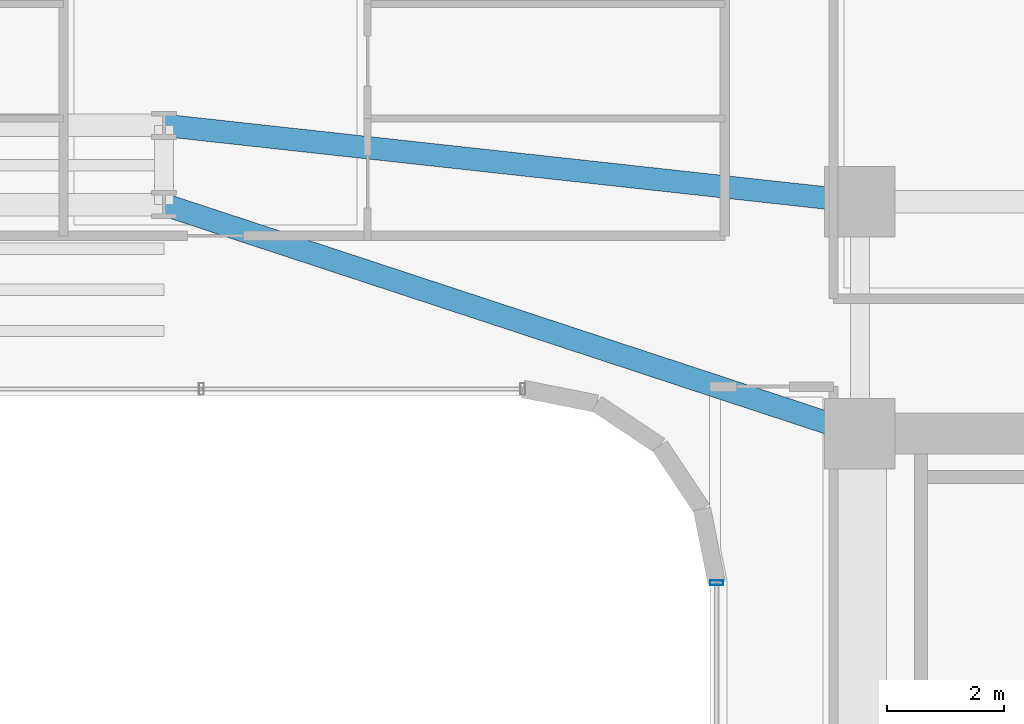
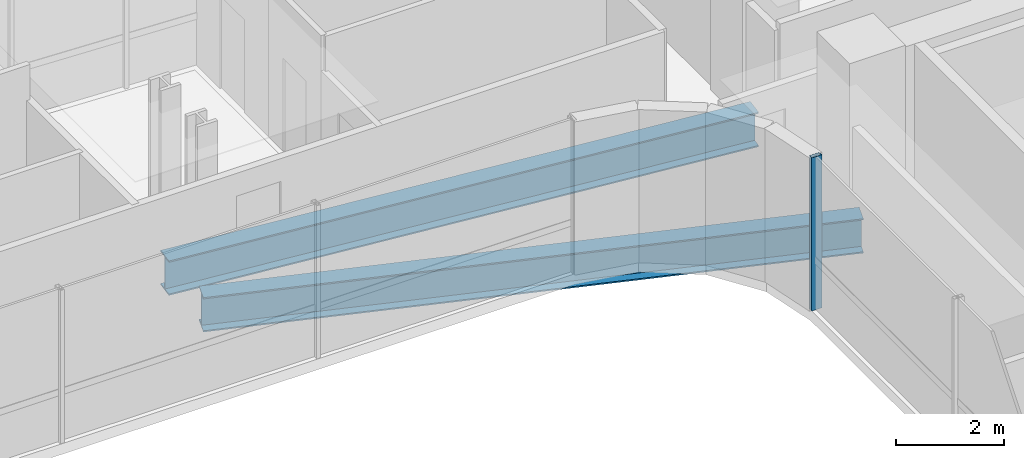
# One storey, part 17 of 37: 2 beams, 1 member, 1 element without a shape of its own.
"""IFC4 building model written with IfcOpenShell, lengths in metres."""

import ifcopenshell
import ifcopenshell.guid

model = None  # the IFC model being written
_history = None  # IfcOwnerHistory: only IFC2X3 demands one
_inside = {}  # id of a spatial element -> (the spatial element, [elements in it])
_under = {}  # id of a project, library or spatial element -> (it, [spatial elements below it])
_declared = {}  # id of a project -> (the project, [libraries it declares])
_typed = {}  # id of a type object -> (the type object, [elements of that type])
_made_of = {}  # id of a material, layer set ... -> (it, [elements and type objects made of it])


def new_model(schema):
    """Start an empty IFC model of exactly this schema.

    Asked for "IFC4X3", IfcOpenShell would pick the latest addendum, in which some entities
    have other attributes; the version numbers below select the first issue.
    IFC2X3 requires an IfcOwnerHistory on every rooted entity: one is made here for all.
    """
    global model, _history
    if schema == "IFC4X3":
        model = ifcopenshell.file(schema_version=(4, 3, 0, 0))
    else:
        model = ifcopenshell.file(schema=schema)
    _inside.clear()
    _under.clear()
    _declared.clear()
    _typed.clear()
    _made_of.clear()
    _history = None
    if model.schema == "IFC2X3":
        org = make("IfcOrganization", Name="unknown")
        user = make(
            "IfcPersonAndOrganization",
            ThePerson=make("IfcPerson", FamilyName="unknown"),
            TheOrganization=org,
        )
        app = make(
            "IfcApplication",
            ApplicationDeveloper=org,
            Version="unknown",
            ApplicationFullName="unknown",
            ApplicationIdentifier="unknown",
        )
        _history = make(
            "IfcOwnerHistory",
            OwningUser=user,
            OwningApplication=app,
            ChangeAction="ADDED",
            CreationDate=0,
        )
    return model


def make(cls, **values):
    """One entity of the class cls with the attributes given. An attribute that is None is left unset."""
    return model.create_entity(
        cls, **{name: value for name, value in values.items() if value is not None}
    )


def rooted(cls, **values):
    """An entity with a GlobalId (a new one), such as an element, a storey or a relation."""
    return make(cls, GlobalId=ifcopenshell.guid.new(), OwnerHistory=_history, **values)


def si_unit(unit_type, name, prefix=None):
    """IfcSIUnit, for example si_unit("LENGTHUNIT", "METRE", prefix="MILLI")."""
    return make("IfcSIUnit", UnitType=unit_type, Prefix=prefix, Name=name)


def assignment(units):
    """IfcUnitAssignment: the units of a project."""
    return None if units is None else make("IfcUnitAssignment", Units=units)


def point(xyz):
    """IfcCartesianPoint."""
    return None if xyz is None else make("IfcCartesianPoint", Coordinates=xyz)


def direction(xyz):
    """IfcDirection."""
    return None if xyz is None else make("IfcDirection", DirectionRatios=xyz)


def frame(location, z_axis=None, x_axis=None):
    """IfcAxis2Placement3D, a coordinate frame: its origin and axes. An axis left out is left unset."""
    return make(
        "IfcAxis2Placement3D",
        Location=point(location),
        Axis=direction(z_axis),
        RefDirection=direction(x_axis),
    )


def frame_2d(location, x_axis=None):
    """IfcAxis2Placement2D, a coordinate frame in the plane: its origin and x axis."""
    return make(
        "IfcAxis2Placement2D", Location=point(location), RefDirection=direction(x_axis)
    )


def origin():
    """The frame at (0, 0, 0) with its axes left unset."""
    return frame((0.0, 0.0, 0.0))


def origin_2d():
    """The frame at (0, 0) in the plane with its x axis left unset."""
    return frame_2d((0.0, 0.0))


def place(relative_to, where):
    """IfcLocalPlacement: puts the frame where relative to a parent placement (None: the world)."""
    return make(
        "IfcLocalPlacement", PlacementRelTo=relative_to, RelativePlacement=where
    )


def context(
    kind, dimensions, precision=None, world=None, true_north=None, identifier=None
):
    """IfcGeometricRepresentationContext, for example the 3D "Model" context."""
    return make(
        "IfcGeometricRepresentationContext",
        ContextIdentifier=identifier,
        ContextType=kind,
        CoordinateSpaceDimension=dimensions,
        Precision=precision,
        WorldCoordinateSystem=world,
        TrueNorth=true_north,
    )


def subcontext(parent, identifier, kind, view, scale=None):
    """IfcGeometricRepresentationSubContext, for example "Body" below "Model"."""
    return make(
        "IfcGeometricRepresentationSubContext",
        ContextIdentifier=identifier,
        ContextType=kind,
        ParentContext=parent,
        TargetScale=scale,
        TargetView=view,
    )


def project(units=None, contexts=None):
    """IfcProject with its units and contexts."""
    return rooted(
        "IfcProject",
        Name="project",
        RepresentationContexts=contexts,
        UnitsInContext=assignment(units),
    )


def spatial(cls, under=None, at=None, **own):
    """A site, building, storey or space (cls), placed at a placement, below another one or the project."""
    s = rooted(cls, ObjectPlacement=at, **own)
    if under is not None:
        _under.setdefault(under.id(), (under, []))[1].append(s)
    return s


def profile(cls, at=None, kind="AREA", **sizes):
    """A parametric profile (cls). Its sizes go by their IFC names, for example OverallWidth=200.0."""
    return make(cls, ProfileType=kind, Position=at, **sizes)


def hollow_rectangle(**sizes):
    """IfcRectangleHollowProfileDef."""
    return profile("IfcRectangleHollowProfileDef", **sizes)


def i_section(**sizes):
    """IfcIShapeProfileDef."""
    return profile("IfcIShapeProfileDef", **sizes)


def extrude(swept, where, along, depth):
    """IfcExtrudedAreaSolid: the profile swept, set in the frame where, extruded along a direction by depth."""
    return make(
        "IfcExtrudedAreaSolid",
        SweptArea=swept,
        Position=where,
        ExtrudedDirection=direction(along),
        Depth=depth,
    )


def shape(context_of_items, identifier, shape_type, items):
    """IfcShapeRepresentation: the items that make up one representation, for example the "Body"."""
    return make(
        "IfcShapeRepresentation",
        ContextOfItems=context_of_items,
        RepresentationIdentifier=identifier,
        RepresentationType=shape_type,
        Items=items,
    )


def source(mapping_origin, context_of_items, identifier, shape_type, items):
    """IfcRepresentationMap: a shape defined once, which mapped items show again and again."""
    return make(
        "IfcRepresentationMap",
        MappingOrigin=mapping_origin,
        MappedRepresentation=shape(context_of_items, identifier, shape_type, items),
    )


def transform(
    local_origin,
    x_axis=None,
    y_axis=None,
    z_axis=None,
    scale=None,
    scale2=None,
    scale3=None,
    uniform=True,
):
    """IfcCartesianTransformationOperator3D, or its non-uniform kind. x_axis, y_axis, z_axis: its Axis1, 2, 3."""
    if uniform:
        return make(
            "IfcCartesianTransformationOperator3D",
            Axis1=direction(x_axis),
            Axis2=direction(y_axis),
            LocalOrigin=point(local_origin),
            Scale=scale,
            Axis3=direction(z_axis),
        )
    return make(
        "IfcCartesianTransformationOperator3DnonUniform",
        Axis1=direction(x_axis),
        Axis2=direction(y_axis),
        LocalOrigin=point(local_origin),
        Scale=scale,
        Axis3=direction(z_axis),
        Scale2=scale2,
        Scale3=scale3,
    )


def mapped(mapping_source, mapping_target):
    """IfcMappedItem: shows the shape of a source again, moved by a transform."""
    return make(
        "IfcMappedItem", MappingSource=mapping_source, MappingTarget=mapping_target
    )


def material(Name=None, Category=None):
    """IfcMaterial."""
    return make("IfcMaterial", Name=Name, Category=Category)


def material_profile(
    of_material, cross_section, Name=None, Category=None, Priority=None
):
    """IfcMaterialProfile: a cross section and its material."""
    return make(
        "IfcMaterialProfile",
        Name=Name,
        Material=of_material,
        Profile=cross_section,
        Priority=Priority,
        Category=Category,
    )


def profile_set(profiles, Name=None, composite=None):
    """IfcMaterialProfileSet."""
    return make(
        "IfcMaterialProfileSet",
        Name=Name,
        MaterialProfiles=profiles,
        CompositeProfile=composite,
    )


def made_of(thing, what):
    """Note that an element or type object is made of a material, layer set ...; save() writes the relation."""
    if what is not None:
        _made_of.setdefault(what.id(), (what, []))[1].append(thing)
    return thing


def type_object(cls, material=None, **own):
    """A type object (cls), such as IfcWallType, which elements share."""
    return made_of(rooted(cls, **own), material)


def element(
    cls,
    number,
    at=None,
    inside=None,
    cuts=None,
    type_object=None,
    material=None,
    context=None,
    identifier="Body",
    shape_type=None,
    held_by="IfcProductDefinitionShape",
    body=None,
    shapes=None,
    **own,
):
    """One element of the class cls, such as IfcWall. Its Tag is "e" and its number.

    at: its placement. inside: the storey or other place that contains it. cuts: it is an
    opening in that element (IfcRelVoidsElement). A single representation is given by context,
    identifier, shape_type and body (its items); several are given by shapes. held_by: the class
    of the entity that holds the representations. save() writes the other relations.
    """
    e = rooted(cls, Tag="e%d" % number, ObjectPlacement=at, **own)
    if body is not None:
        shapes = [shape(context, identifier, shape_type, body)]
    if shapes is not None:
        e.Representation = make(held_by, Representations=shapes)
    if inside is not None:
        _inside.setdefault(inside.id(), (inside, []))[1].append(e)
    if cuts is not None:
        rooted(
            "IfcRelVoidsElement", RelatingBuildingElement=cuts, RelatedOpeningElement=e
        )
    if type_object is not None:
        _typed.setdefault(type_object.id(), (type_object, []))[1].append(e)
    return made_of(e, material)


def aggregate(whole, parts):
    """IfcRelAggregates: a whole, such as a stair, and the parts it consists of."""
    return rooted("IfcRelAggregates", RelatingObject=whole, RelatedObjects=parts)


def save(model, path):
    """Write the relations noted so far, then the file.

    IfcRelAggregates (storeys below a building ...), IfcRelContainedInSpatialStructure (elements
    in a storey), IfcRelDefinesByType, IfcRelAssociatesMaterial and IfcRelDeclares: one each for
    every whole, place, type object, material and project.
    """
    for whole, parts in _under.values():
        aggregate(whole, parts)
    for where, things in _inside.values():
        rooted(
            "IfcRelContainedInSpatialStructure",
            RelatedElements=things,
            RelatingStructure=where,
        )
    for kind, things in _typed.values():
        rooted("IfcRelDefinesByType", RelatedObjects=things, RelatingType=kind)
    for what, things in _made_of.values():
        rooted("IfcRelAssociatesMaterial", RelatedObjects=things, RelatingMaterial=what)
    for by, libraries in _declared.values():
        rooted("IfcRelDeclares", RelatingContext=by, RelatedDefinitions=libraries)
    model.write(path)


model = new_model("IFC4")

# Units and contexts
model_context = context("Model", 3, precision=1e-05, world=origin(), true_north=direction((0.0, 1.0)))
body_context = subcontext(model_context, "Body", "Model", "MODEL_VIEW")
ifc_project = project(units=[si_unit("LENGTHUNIT", "METRE"), si_unit("AREAUNIT", "SQUARE_METRE"), si_unit("VOLUMEUNIT", "CUBIC_METRE"), si_unit("PLANEANGLEUNIT", "RADIAN"), si_unit("MASSUNIT", "GRAM", prefix="KILO")], contexts=[model_context])

# Site, building, storey
site_placement = place(None, origin())
site = spatial("IfcSite", under=ifc_project, at=site_placement, CompositionType="ELEMENT")
building_placement = place(site_placement, origin())
building = spatial("IfcBuilding", under=site, at=building_placement, Name="Valdorenza Pilgrim Sanctuary Tower", CompositionType="ELEMENT")
storey_placement = place(building_placement, frame((0.0, 0.0, 127.89990234375)))
storey = spatial("IfcBuildingStorey", under=building, at=storey_placement, Name="L32", CompositionType="ELEMENT", Elevation=127.89990234375)

# Beams
ifc_material_1 = material(Name="Steel ASTM A992 Grade 50", Category="steel")
ifc_material_profile_1 = material_profile(ifc_material_1, i_section(OverallWidth=0.382080078125, OverallDepth=0.779052734375, WebThickness=0.01806640625, FlangeThickness=0.030029296875, at=origin_2d()), Name="W30X191")
ifc_profile_set_1 = profile_set([ifc_material_profile_1], Name="Steel ASTM A992 Grade 50")
beam_type = type_object("IfcBeamType", Name="STR-BM-GRD-W30", PredefinedType="BEAM", material=ifc_profile_set_1)
shared_shape_1 = source(origin(), body_context, "Body", "SweptSolid", [
    extrude(i_section(OverallWidth=0.382080078125, OverallDepth=0.779052734375, WebThickness=0.01806640625, FlangeThickness=0.030029296875, at=origin_2d()), origin(), (0.0, 0.0, 1.0), 12.475341796875),
])
beam_1_placement = place(storey_placement, frame((4.0, 13.449951171875, -0.62939453125), z_axis=(0.949881908141, -0.312608957943, 0.0), x_axis=(0.312608957943, 0.949881908141, 0.0)))
element("IfcBeam", 1, at=beam_1_placement, inside=storey, type_object=beam_type, Name="L32 Floor Girder KNK-G3", PredefinedType="BEAM", context=body_context, shape_type="MappedRepresentation", body=[
    mapped(shared_shape_1, transform((0.0, 0.0, 0.0), x_axis=(1.0, 0.0, 0.0), y_axis=(0.0, 1.0, 0.0), z_axis=(0.0, 0.0, 1.0), scale=1.0)),
])
shared_shape_2 = source(origin(), body_context, "Body", "SweptSolid", [
    extrude(i_section(OverallWidth=0.382080078125, OverallDepth=0.779052734375, WebThickness=0.01806640625, FlangeThickness=0.030029296875, at=origin_2d()), origin(), (0.0, 0.0, 1.0), 11.921142578125),
])
beam_2_placement = place(storey_placement, frame((4.0, 14.800048828125, -0.62939453125), z_axis=(0.994035876607, -0.10905354656, 0.0), x_axis=(0.10905354656, 0.994035876607, 0.0)))
element("IfcBeam", 2, at=beam_2_placement, inside=storey, type_object=beam_type, Name="L32 Floor Girder KNK-G6", PredefinedType="BEAM", context=body_context, shape_type="MappedRepresentation", body=[
    mapped(shared_shape_2, transform((0.0, 0.0, 0.0), x_axis=(1.0, 0.0, 0.0), y_axis=(0.0, 1.0, 0.0), z_axis=(0.0, 0.0, 1.0), scale=1.0)),
])

# Curtain wall, member
ifc_material_2 = material(Name="Curtain-wall IGU glazing", Category="glass")
curtain_wall_type = type_object("IfcCurtainWallType", Name="CW-SYS-03", PredefinedType="NOTDEFINED", material=ifc_material_2)
curtain_wall_placement = place(storey_placement, origin())
curtain_wall = element("IfcCurtainWall", 3, at=curtain_wall_placement, inside=storey, type_object=curtain_wall_type, Name="L32 Curtain Wall CW-L32-1-31", PredefinedType="NOTDEFINED")
ifc_material_3 = material(Name="Anodised aluminium AW-6060", Category="aluminium")
ifc_material_profile_2 = material_profile(ifc_material_3, hollow_rectangle(XDim=0.0849609375, YDim=0.219970703125, WallThickness=0.0048828125, at=origin_2d()), Name="ALU-M 220x85x5")
ifc_profile_set_2 = profile_set([ifc_material_profile_2], Name="Anodised aluminium AW-6060")
member_type = type_object("IfcMemberType", Name="CW-MUL-03", PredefinedType="MULLION", material=ifc_profile_set_2)
shared_shape_3 = source(origin(), body_context, "Body", "SweptSolid", [
    extrude(hollow_rectangle(XDim=0.0849609375, YDim=0.219970703125, WallThickness=0.0048828125, at=origin_2d()), origin(), (0.0, 0.0, 1.0), 3.460205078125),
])
member_placement = place(storey_placement, frame((13.409912109375, 7.0107421875, 0.0), z_axis=(0.0, 0.0, 1.0), x_axis=(0.0, 1.0, 0.0)))
member = element("IfcMember", 4, at=member_placement, type_object=member_type, Name="CW-L32-1-31 Mullion 4", PredefinedType="MULLION", context=body_context, shape_type="MappedRepresentation", body=[
    mapped(shared_shape_3, transform((0.0, 0.0, 0.0), x_axis=(1.0, 0.0, 0.0), y_axis=(0.0, 1.0, 0.0), z_axis=(0.0, 0.0, 1.0), scale=1.0)),
])
aggregate(curtain_wall, [member])

save(model, "model.ifc")
